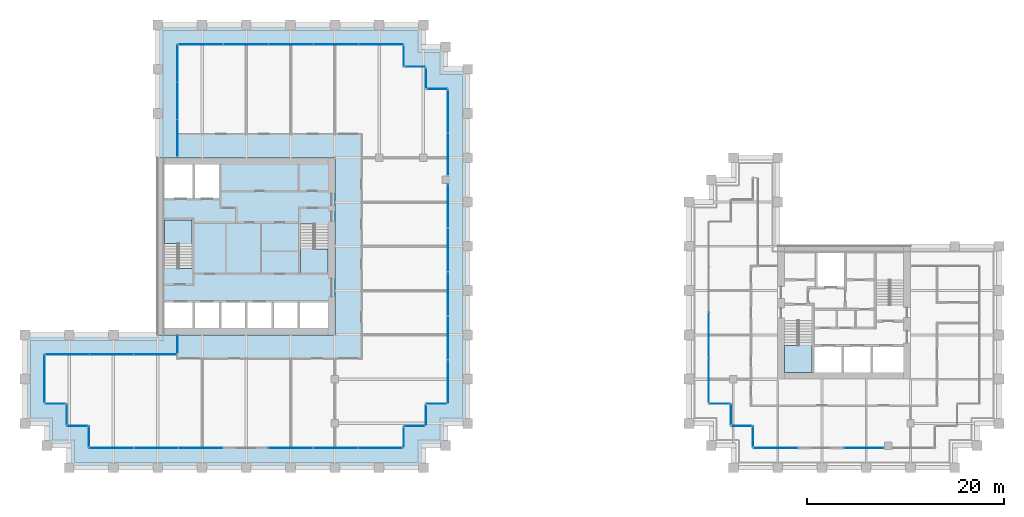
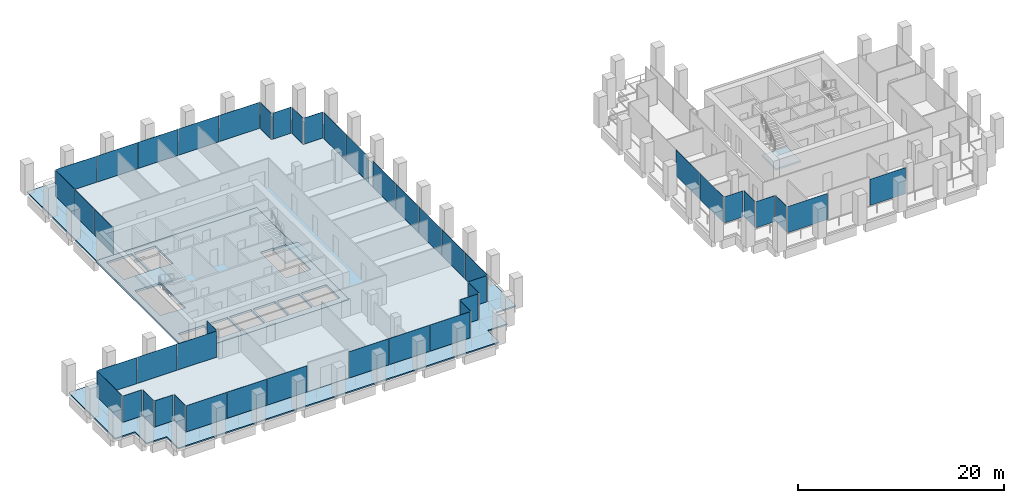
# One storey, part 39 of 47: 46 plates, 6 slabs, 31 elements without a shape of their own.
"""IFC4 building model written with IfcOpenShell, lengths in metres."""

import ifcopenshell
import ifcopenshell.guid

model = None  # the IFC model being written
_history = None  # IfcOwnerHistory: only IFC2X3 demands one
_inside = {}  # id of a spatial element -> (the spatial element, [elements in it])
_under = {}  # id of a project, library or spatial element -> (it, [spatial elements below it])
_declared = {}  # id of a project -> (the project, [libraries it declares])
_typed = {}  # id of a type object -> (the type object, [elements of that type])
_made_of = {}  # id of a material, layer set ... -> (it, [elements and type objects made of it])


def new_model(schema):
    """Start an empty IFC model of exactly this schema.

    Asked for "IFC4X3", IfcOpenShell would pick the latest addendum, in which some entities
    have other attributes; the version numbers below select the first issue.
    IFC2X3 requires an IfcOwnerHistory on every rooted entity: one is made here for all.
    """
    global model, _history
    if schema == "IFC4X3":
        model = ifcopenshell.file(schema_version=(4, 3, 0, 0))
    else:
        model = ifcopenshell.file(schema=schema)
    _inside.clear()
    _under.clear()
    _declared.clear()
    _typed.clear()
    _made_of.clear()
    _history = None
    if model.schema == "IFC2X3":
        org = make("IfcOrganization", Name="unknown")
        user = make(
            "IfcPersonAndOrganization",
            ThePerson=make("IfcPerson", FamilyName="unknown"),
            TheOrganization=org,
        )
        app = make(
            "IfcApplication",
            ApplicationDeveloper=org,
            Version="unknown",
            ApplicationFullName="unknown",
            ApplicationIdentifier="unknown",
        )
        _history = make(
            "IfcOwnerHistory",
            OwningUser=user,
            OwningApplication=app,
            ChangeAction="ADDED",
            CreationDate=0,
        )
    return model


def make(cls, **values):
    """One entity of the class cls with the attributes given. An attribute that is None is left unset."""
    return model.create_entity(
        cls, **{name: value for name, value in values.items() if value is not None}
    )


def rooted(cls, **values):
    """An entity with a GlobalId (a new one), such as an element, a storey or a relation."""
    return make(cls, GlobalId=ifcopenshell.guid.new(), OwnerHistory=_history, **values)


def si_unit(unit_type, name, prefix=None):
    """IfcSIUnit, for example si_unit("LENGTHUNIT", "METRE", prefix="MILLI")."""
    return make("IfcSIUnit", UnitType=unit_type, Prefix=prefix, Name=name)


def assignment(units):
    """IfcUnitAssignment: the units of a project."""
    return None if units is None else make("IfcUnitAssignment", Units=units)


def point(xyz):
    """IfcCartesianPoint."""
    return None if xyz is None else make("IfcCartesianPoint", Coordinates=xyz)


def direction(xyz):
    """IfcDirection."""
    return None if xyz is None else make("IfcDirection", DirectionRatios=xyz)


def frame(location, z_axis=None, x_axis=None):
    """IfcAxis2Placement3D, a coordinate frame: its origin and axes. An axis left out is left unset."""
    return make(
        "IfcAxis2Placement3D",
        Location=point(location),
        Axis=direction(z_axis),
        RefDirection=direction(x_axis),
    )


def frame_2d(location, x_axis=None):
    """IfcAxis2Placement2D, a coordinate frame in the plane: its origin and x axis."""
    return make(
        "IfcAxis2Placement2D", Location=point(location), RefDirection=direction(x_axis)
    )


def origin():
    """The frame at (0, 0, 0) with its axes left unset."""
    return frame((0.0, 0.0, 0.0))


def origin_2d():
    """The frame at (0, 0) in the plane with its x axis left unset."""
    return frame_2d((0.0, 0.0))


def place(relative_to, where):
    """IfcLocalPlacement: puts the frame where relative to a parent placement (None: the world)."""
    return make(
        "IfcLocalPlacement", PlacementRelTo=relative_to, RelativePlacement=where
    )


def context(
    kind, dimensions, precision=None, world=None, true_north=None, identifier=None
):
    """IfcGeometricRepresentationContext, for example the 3D "Model" context."""
    return make(
        "IfcGeometricRepresentationContext",
        ContextIdentifier=identifier,
        ContextType=kind,
        CoordinateSpaceDimension=dimensions,
        Precision=precision,
        WorldCoordinateSystem=world,
        TrueNorth=true_north,
    )


def subcontext(parent, identifier, kind, view, scale=None):
    """IfcGeometricRepresentationSubContext, for example "Body" below "Model"."""
    return make(
        "IfcGeometricRepresentationSubContext",
        ContextIdentifier=identifier,
        ContextType=kind,
        ParentContext=parent,
        TargetScale=scale,
        TargetView=view,
    )


def project(units=None, contexts=None):
    """IfcProject with its units and contexts."""
    return rooted(
        "IfcProject",
        Name="project",
        RepresentationContexts=contexts,
        UnitsInContext=assignment(units),
    )


def spatial(cls, under=None, at=None, **own):
    """A site, building, storey or space (cls), placed at a placement, below another one or the project."""
    s = rooted(cls, ObjectPlacement=at, **own)
    if under is not None:
        _under.setdefault(under.id(), (under, []))[1].append(s)
    return s


def polyline(points):
    """IfcPolyline through the points."""
    return make("IfcPolyline", Points=[point(p) for p in points])


def profile(cls, at=None, kind="AREA", **sizes):
    """A parametric profile (cls). Its sizes go by their IFC names, for example OverallWidth=200.0."""
    return make(cls, ProfileType=kind, Position=at, **sizes)


def rectangle(**sizes):
    """IfcRectangleProfileDef."""
    return profile("IfcRectangleProfileDef", **sizes)


def outline(outer, holes=None, kind="AREA"):
    """IfcArbitraryClosedProfileDef: a profile drawn as a closed curve; with holes, ...WithVoids."""
    if holes is None:
        return make("IfcArbitraryClosedProfileDef", ProfileType=kind, OuterCurve=outer)
    return make(
        "IfcArbitraryProfileDefWithVoids",
        ProfileType=kind,
        OuterCurve=outer,
        InnerCurves=holes,
    )


def extrude(swept, where, along, depth):
    """IfcExtrudedAreaSolid: the profile swept, set in the frame where, extruded along a direction by depth."""
    return make(
        "IfcExtrudedAreaSolid",
        SweptArea=swept,
        Position=where,
        ExtrudedDirection=direction(along),
        Depth=depth,
    )


def shape(context_of_items, identifier, shape_type, items):
    """IfcShapeRepresentation: the items that make up one representation, for example the "Body"."""
    return make(
        "IfcShapeRepresentation",
        ContextOfItems=context_of_items,
        RepresentationIdentifier=identifier,
        RepresentationType=shape_type,
        Items=items,
    )


def material(Name=None, Category=None):
    """IfcMaterial."""
    return make("IfcMaterial", Name=Name, Category=Category)


def layer(
    of_material, thickness, ventilated=None, Name=None, Category=None, Priority=None
):
    """IfcMaterialLayer: one layer of a wall or slab, of a material (None: an air gap)."""
    return make(
        "IfcMaterialLayer",
        Material=of_material,
        LayerThickness=thickness,
        IsVentilated=ventilated,
        Name=Name,
        Category=Category,
        Priority=Priority,
    )


def layer_set(layers, Name=None):
    """IfcMaterialLayerSet."""
    return make("IfcMaterialLayerSet", MaterialLayers=layers, LayerSetName=Name)


def made_of(thing, what):
    """Note that an element or type object is made of a material, layer set ...; save() writes the relation."""
    if what is not None:
        _made_of.setdefault(what.id(), (what, []))[1].append(thing)
    return thing


def type_object(cls, material=None, **own):
    """A type object (cls), such as IfcWallType, which elements share."""
    return made_of(rooted(cls, **own), material)


def element(
    cls,
    number,
    at=None,
    inside=None,
    cuts=None,
    type_object=None,
    material=None,
    context=None,
    identifier="Body",
    shape_type=None,
    held_by="IfcProductDefinitionShape",
    body=None,
    shapes=None,
    **own,
):
    """One element of the class cls, such as IfcWall. Its Tag is "e" and its number.

    at: its placement. inside: the storey or other place that contains it. cuts: it is an
    opening in that element (IfcRelVoidsElement). A single representation is given by context,
    identifier, shape_type and body (its items); several are given by shapes. held_by: the class
    of the entity that holds the representations. save() writes the other relations.
    """
    e = rooted(cls, Tag="e%d" % number, ObjectPlacement=at, **own)
    if body is not None:
        shapes = [shape(context, identifier, shape_type, body)]
    if shapes is not None:
        e.Representation = make(held_by, Representations=shapes)
    if inside is not None:
        _inside.setdefault(inside.id(), (inside, []))[1].append(e)
    if cuts is not None:
        rooted(
            "IfcRelVoidsElement", RelatingBuildingElement=cuts, RelatedOpeningElement=e
        )
    if type_object is not None:
        _typed.setdefault(type_object.id(), (type_object, []))[1].append(e)
    return made_of(e, material)


def aggregate(whole, parts):
    """IfcRelAggregates: a whole, such as a stair, and the parts it consists of."""
    return rooted("IfcRelAggregates", RelatingObject=whole, RelatedObjects=parts)


def save(model, path):
    """Write the relations noted so far, then the file.

    IfcRelAggregates (storeys below a building ...), IfcRelContainedInSpatialStructure (elements
    in a storey), IfcRelDefinesByType, IfcRelAssociatesMaterial and IfcRelDeclares: one each for
    every whole, place, type object, material and project.
    """
    for whole, parts in _under.values():
        aggregate(whole, parts)
    for where, things in _inside.values():
        rooted(
            "IfcRelContainedInSpatialStructure",
            RelatedElements=things,
            RelatingStructure=where,
        )
    for kind, things in _typed.values():
        rooted("IfcRelDefinesByType", RelatedObjects=things, RelatingType=kind)
    for what, things in _made_of.values():
        rooted("IfcRelAssociatesMaterial", RelatedObjects=things, RelatingMaterial=what)
    for by, libraries in _declared.values():
        rooted("IfcRelDeclares", RelatingContext=by, RelatedDefinitions=libraries)
    model.write(path)


model = new_model("IFC4")

# Units and contexts
model_context = context("Model", 3, precision=1e-05, world=origin(), true_north=direction((0.0, 1.0)))
body_context = subcontext(model_context, "Body", "Model", "MODEL_VIEW")
ifc_project = project(units=[si_unit("LENGTHUNIT", "METRE"), si_unit("AREAUNIT", "SQUARE_METRE"), si_unit("VOLUMEUNIT", "CUBIC_METRE"), si_unit("PLANEANGLEUNIT", "RADIAN"), si_unit("MASSUNIT", "GRAM", prefix="KILO")], contexts=[model_context])

# Site, building, storey
site_placement = place(None, origin())
site = spatial("IfcSite", under=ifc_project, at=site_placement, CompositionType="ELEMENT")
building_placement = place(site_placement, origin())
building = spatial("IfcBuilding", under=site, at=building_placement, Name="Altepetl Exchange Towers", CompositionType="ELEMENT")
storey_placement = place(building_placement, frame((0.0, 0.0, 95.60009765625)))
storey = spatial("IfcBuildingStorey", under=building, at=storey_placement, Name="L23", CompositionType="ELEMENT", Elevation=95.60009765625)

# Slabs
ifc_material_1 = material(Name="Concrete C40/50", Category="concrete")
ifc_layer_1 = layer(ifc_material_1, 0.14990234375)
ifc_layer_set_1 = layer_set([ifc_layer_1], Name="Concrete C40/50")
slab_type_1 = type_object("IfcSlabType", Name="Composite floor slab 150", PredefinedType="FLOOR", material=ifc_layer_set_1)
slab_1_placement = place(storey_placement, frame((0.0, 0.0, -0.150146484375)))
element("IfcSlab", 1, at=slab_1_placement, inside=storey, type_object=slab_type_1, Name="slab:A:L23:strip0", PredefinedType="FLOOR", context=body_context, shape_type="SweptSolid", body=[
    extrude(outline(polyline([(42.5, 70.0), (42.5, 58.5), (58.5, 58.5), (58.5, 40.5), (42.5, 40.5), (42.5, 38.5), (29.0, 38.5), (29.0, 33.5), (31.25, 33.5), (31.25, 31.25), (33.5, 31.25), (33.5, 29.0), (65.5, 29.0), (65.5, 31.25), (67.75, 31.25), (67.75, 33.5), (70.0, 33.5), (70.0, 65.5), (67.75, 65.5), (67.75, 67.75), (65.5, 67.75), (65.5, 70.0), (42.5, 70.0)])), origin(), (0.0, 0.0, 1.0), 0.150146484375),
])
ifc_layer_2 = layer(ifc_material_1, 0.25)
ifc_layer_set_2 = layer_set([ifc_layer_2], Name="Concrete C40/50")
slab_type_2 = type_object("IfcSlabType", Name="Core floor slab 250", PredefinedType="FLOOR", material=ifc_layer_set_2)
slab_2_placement = place(storey_placement, frame((0.0, 0.0, -0.25)))
element("IfcSlab", 2, at=slab_2_placement, inside=storey, type_object=slab_type_2, Name="slab:A:L23:core0", PredefinedType="FLOOR", context=body_context, shape_type="SweptSolid", body=[
    extrude(outline(polyline([(40.5, 40.5), (58.5, 40.5), (58.5, 58.5), (40.5, 58.5), (40.5, 40.5)]), holes=[polyline([(41.199951171875, 43.800048828125), (44.06689453125, 43.800048828125), (44.06689453125, 41.199951171875), (41.199951171875, 41.199951171875), (41.199951171875, 43.800048828125)]), polyline([(44.26708984375, 43.800048828125), (46.73291015625, 43.800048828125), (46.73291015625, 41.199951171875), (44.26708984375, 41.199951171875), (44.26708984375, 43.800048828125)]), polyline([(46.93310546875, 43.800048828125), (49.39990234375, 43.800048828125), (49.39990234375, 41.199951171875), (46.93310546875, 41.199951171875), (46.93310546875, 43.800048828125)]), polyline([(52.06689453125, 43.800048828125), (52.06689453125, 41.199951171875), (49.60009765625, 41.199951171875), (49.60009765625, 43.800048828125), (52.06689453125, 43.800048828125)]), polyline([(54.73291015625, 43.800048828125), (54.73291015625, 41.199951171875), (52.26708984375, 41.199951171875), (52.26708984375, 43.800048828125), (54.73291015625, 43.800048828125)]), polyline([(54.93310546875, 43.800048828125), (57.800048828125, 43.800048828125), (57.800048828125, 41.199951171875), (54.93310546875, 41.199951171875), (54.93310546875, 43.800048828125)]), polyline([(55.0, 51.7490234375), (56.449951171875, 51.7490234375), (56.449951171875, 51.64990234375), (57.800048828125, 51.64990234375), (57.800048828125, 46.800048828125), (55.0, 46.800048828125), (55.0, 51.7490234375)]), polyline([(44.0, 47.2509765625), (42.550048828125, 47.2509765625), (42.550048828125, 47.35009765625), (41.199951171875, 47.35009765625), (41.199951171875, 52.199951171875), (44.0, 52.199951171875), (44.0, 47.2509765625)]), polyline([(44.06689453125, 57.800048828125), (44.06689453125, 54.39990234375), (41.199951171875, 54.39990234375), (41.199951171875, 57.800048828125), (44.06689453125, 57.800048828125)]), polyline([(46.73291015625, 57.800048828125), (46.73291015625, 54.39990234375), (44.26708984375, 54.39990234375), (44.26708984375, 57.800048828125), (46.73291015625, 57.800048828125)])]), origin(), (0.0, 0.0, 1.0), 0.25),
])

# Curtain wall, plate
ifc_material_2 = material(Name="Aluminium 6063-T6 glazing", Category="aluminium")
curtain_wall_type = type_object("IfcCurtainWallType", Name="Loggia glazing system", PredefinedType="NOTDEFINED", material=ifc_material_2)
curtain_wall_1_placement = place(storey_placement, origin())
curtain_wall_1 = element("IfcCurtainWall", 3, at=curtain_wall_1_placement, inside=storey, type_object=curtain_wall_type, Name="CW1 run", PredefinedType="NOTDEFINED")
ifc_material_3 = material(Name="Glass 6-16-6 low emissivity", Category="glass")
ifc_layer_3 = layer(ifc_material_3, 0.028076171875)
ifc_layer_set_3 = layer_set([ifc_layer_3], Name="Glass 6-16-6 low emissivity")
plate_type = type_object("IfcPlateType", Name="Glass panel 28 double glazed", PredefinedType="CURTAIN_PANEL", material=ifc_layer_set_3)
plate_1_placement = place(storey_placement, frame((42.5, 39.53759765625, -0.000244140625), z_axis=(0.0, 0.0, 1.0), x_axis=(0.0, -1.0, 0.0)))
plate_1 = element("IfcPlate", 4, at=plate_1_placement, type_object=plate_type, Name="GP1 panel", PredefinedType="CURTAIN_PANEL", context=body_context, shape_type="SweptSolid", body=[
    extrude(rectangle(XDim=1.804931640625, YDim=0.028076171875, at=origin_2d()), origin(), (0.0, 0.0, 1.0), 3.10009765625),
])
aggregate(curtain_wall_1, [plate_1])

# Curtain wall, plates
curtain_wall_2_placement = place(storey_placement, origin())
curtain_wall_2 = element("IfcCurtainWall", 5, at=curtain_wall_2_placement, inside=storey, type_object=curtain_wall_type, Name="CW1 run", PredefinedType="NOTDEFINED")
plate_2_placement = place(storey_placement, frame((40.24755859375, 38.5, -0.000244140625), z_axis=(0.0, 0.0, 1.0), x_axis=(-1.0, 0.0, 0.0)))
plate_2 = element("IfcPlate", 6, at=plate_2_placement, type_object=plate_type, Name="GP1 panel", PredefinedType="CURTAIN_PANEL", context=body_context, shape_type="SweptSolid", body=[
    extrude(rectangle(XDim=4.385009765625, YDim=0.028076171875, at=origin_2d()), origin(), (0.0, 0.0, 1.0), 3.10009765625),
])
plate_3_placement = place(storey_placement, frame((35.78759765625, 38.5, -0.000244140625), z_axis=(0.0, 0.0, 1.0), x_axis=(-1.0, 0.0, 0.0)))
plate_3 = element("IfcPlate", 7, at=plate_3_placement, type_object=plate_type, Name="GP1 panel", PredefinedType="CURTAIN_PANEL", context=body_context, shape_type="SweptSolid", body=[
    extrude(rectangle(XDim=4.4150390625, YDim=0.028076171875, at=origin_2d()), origin(), (0.0, 0.0, 1.0), 3.10009765625),
])
plate_4_placement = place(storey_placement, frame((31.327392578125, 38.5, -0.000244140625), z_axis=(0.0, 0.0, 1.0), x_axis=(-1.0, 0.0, 0.0)))
plate_4 = element("IfcPlate", 8, at=plate_4_placement, type_object=plate_type, Name="GP1 panel", PredefinedType="CURTAIN_PANEL", context=body_context, shape_type="SweptSolid", body=[
    extrude(rectangle(XDim=4.385009765625, YDim=0.028076171875, at=origin_2d()), origin(), (0.0, 0.0, 1.0), 3.10009765625),
])
aggregate(curtain_wall_2, [plate_2, plate_3, plate_4])

# Curtain wall, plate
curtain_wall_3_placement = place(storey_placement, origin())
curtain_wall_3 = element("IfcCurtainWall", 9, at=curtain_wall_3_placement, inside=storey, type_object=curtain_wall_type, Name="CW1 run", PredefinedType="NOTDEFINED")
plate_5_placement = place(storey_placement, frame((29.0, 36.03759765625, -0.000244140625), z_axis=(0.0, 0.0, 1.0), x_axis=(0.0, -1.0, 0.0)))
plate_5 = element("IfcPlate", 10, at=plate_5_placement, type_object=plate_type, Name="GP1 panel", PredefinedType="CURTAIN_PANEL", context=body_context, shape_type="SweptSolid", body=[
    extrude(rectangle(XDim=4.804931640625, YDim=0.028076171875, at=origin_2d()), origin(), (0.0, 0.0, 1.0), 3.10009765625),
])
aggregate(curtain_wall_3, [plate_5])

curtain_wall_4_placement = place(storey_placement, origin())
curtain_wall_4 = element("IfcCurtainWall", 11, at=curtain_wall_4_placement, inside=storey, type_object=curtain_wall_type, Name="CW1 run", PredefinedType="NOTDEFINED")
plate_6_placement = place(storey_placement, frame((30.08740234375, 33.5, -0.000244140625)))
plate_6 = element("IfcPlate", 12, at=plate_6_placement, type_object=plate_type, Name="GP1 panel", PredefinedType="CURTAIN_PANEL", context=body_context, shape_type="SweptSolid", body=[
    extrude(rectangle(XDim=2.054931640625, YDim=0.028076171875, at=origin_2d()), origin(), (0.0, 0.0, 1.0), 3.10009765625),
])
aggregate(curtain_wall_4, [plate_6])

curtain_wall_5_placement = place(storey_placement, origin())
curtain_wall_5 = element("IfcCurtainWall", 13, at=curtain_wall_5_placement, inside=storey, type_object=curtain_wall_type, Name="CW1 run", PredefinedType="NOTDEFINED")
plate_7_placement = place(storey_placement, frame((31.25, 32.41259765625, -0.000244140625), z_axis=(0.0, 0.0, 1.0), x_axis=(0.0, -1.0, 0.0)))
plate_7 = element("IfcPlate", 14, at=plate_7_placement, type_object=plate_type, Name="GP1 panel", PredefinedType="CURTAIN_PANEL", context=body_context, shape_type="SweptSolid", body=[
    extrude(rectangle(XDim=2.054931640625, YDim=0.028076171875, at=origin_2d()), origin(), (0.0, 0.0, 1.0), 3.10009765625),
])
aggregate(curtain_wall_5, [plate_7])

curtain_wall_6_placement = place(storey_placement, origin())
curtain_wall_6 = element("IfcCurtainWall", 15, at=curtain_wall_6_placement, inside=storey, type_object=curtain_wall_type, Name="CW1 run", PredefinedType="NOTDEFINED")
plate_8_placement = place(storey_placement, frame((32.33740234375, 31.25, -0.000244140625)))
plate_8 = element("IfcPlate", 16, at=plate_8_placement, type_object=plate_type, Name="GP1 panel", PredefinedType="CURTAIN_PANEL", context=body_context, shape_type="SweptSolid", body=[
    extrude(rectangle(XDim=2.054931640625, YDim=0.028076171875, at=origin_2d()), origin(), (0.0, 0.0, 1.0), 3.10009765625),
])
aggregate(curtain_wall_6, [plate_8])

curtain_wall_7_placement = place(storey_placement, origin())
curtain_wall_7 = element("IfcCurtainWall", 17, at=curtain_wall_7_placement, inside=storey, type_object=curtain_wall_type, Name="CW1 run", PredefinedType="NOTDEFINED")
plate_9_placement = place(storey_placement, frame((33.5, 30.16259765625, -0.000244140625), z_axis=(0.0, 0.0, 1.0), x_axis=(0.0, -1.0, 0.0)))
plate_9 = element("IfcPlate", 18, at=plate_9_placement, type_object=plate_type, Name="GP1 panel", PredefinedType="CURTAIN_PANEL", context=body_context, shape_type="SweptSolid", body=[
    extrude(rectangle(XDim=2.054931640625, YDim=0.028076171875, at=origin_2d()), origin(), (0.0, 0.0, 1.0), 3.10009765625),
])
aggregate(curtain_wall_7, [plate_9])

# Curtain wall, plates
curtain_wall_8_placement = place(storey_placement, origin())
curtain_wall_8 = element("IfcCurtainWall", 19, at=curtain_wall_8_placement, inside=storey, type_object=curtain_wall_type, Name="CW1 run", PredefinedType="NOTDEFINED")
plate_10_placement = place(storey_placement, frame((35.79541015625, 29.0, -0.000244140625)))
plate_10 = element("IfcPlate", 20, at=plate_10_placement, type_object=plate_type, Name="GP1 panel", PredefinedType="CURTAIN_PANEL", context=body_context, shape_type="SweptSolid", body=[
    extrude(rectangle(XDim=4.470703125, YDim=0.028076171875, at=origin_2d()), origin(), (0.0, 0.0, 1.0), 3.10009765625),
])
plate_11_placement = place(storey_placement, frame((40.341064453125, 29.0, -0.000244140625)))
plate_11 = element("IfcPlate", 21, at=plate_11_placement, type_object=plate_type, Name="GP1 panel", PredefinedType="CURTAIN_PANEL", context=body_context, shape_type="SweptSolid", body=[
    extrude(rectangle(XDim=4.500732421875, YDim=0.028076171875, at=origin_2d()), origin(), (0.0, 0.0, 1.0), 3.10009765625),
])
plate_12_placement = place(storey_placement, frame((44.88671875, 29.0, -0.000244140625)))
plate_12 = element("IfcPlate", 22, at=plate_12_placement, type_object=plate_type, Name="GP1 panel", PredefinedType="CURTAIN_PANEL", context=body_context, shape_type="SweptSolid", body=[
    extrude(rectangle(XDim=4.470703125, YDim=0.028076171875, at=origin_2d()), origin(), (0.0, 0.0, 1.0), 3.10009765625),
])
aggregate(curtain_wall_8, [plate_10, plate_11, plate_12])

curtain_wall_9_placement = place(storey_placement, origin())
curtain_wall_9 = element("IfcCurtainWall", 23, at=curtain_wall_9_placement, inside=storey, type_object=curtain_wall_type, Name="CW1 run", PredefinedType="NOTDEFINED")
plate_13_placement = place(storey_placement, frame((54.038330078125, 29.0, -0.000244140625)))
plate_13 = element("IfcPlate", 24, at=plate_13_placement, type_object=plate_type, Name="GP1 panel", PredefinedType="CURTAIN_PANEL", context=body_context, shape_type="SweptSolid", body=[
    extrude(rectangle(XDim=4.470703125, YDim=0.028076171875, at=origin_2d()), origin(), (0.0, 0.0, 1.0), 3.10009765625),
])
plate_14_placement = place(storey_placement, frame((58.583984375, 29.0, -0.000244140625)))
plate_14 = element("IfcPlate", 25, at=plate_14_placement, type_object=plate_type, Name="GP1 panel", PredefinedType="CURTAIN_PANEL", context=body_context, shape_type="SweptSolid", body=[
    extrude(rectangle(XDim=4.500732421875, YDim=0.028076171875, at=origin_2d()), origin(), (0.0, 0.0, 1.0), 3.10009765625),
])
plate_15_placement = place(storey_placement, frame((63.129638671875, 29.0, -0.000244140625)))
plate_15 = element("IfcPlate", 26, at=plate_15_placement, type_object=plate_type, Name="GP1 panel", PredefinedType="CURTAIN_PANEL", context=body_context, shape_type="SweptSolid", body=[
    extrude(rectangle(XDim=4.470703125, YDim=0.028076171875, at=origin_2d()), origin(), (0.0, 0.0, 1.0), 3.10009765625),
])
aggregate(curtain_wall_9, [plate_13, plate_14, plate_15])

# Curtain wall, plate
curtain_wall_10_placement = place(storey_placement, origin())
curtain_wall_10 = element("IfcCurtainWall", 27, at=curtain_wall_10_placement, inside=storey, type_object=curtain_wall_type, Name="CW1 run", PredefinedType="NOTDEFINED")
plate_16_placement = place(storey_placement, frame((65.5, 30.08740234375, -0.000244140625), z_axis=(0.0, 0.0, 1.0), x_axis=(0.0, 1.0, 0.0)))
plate_16 = element("IfcPlate", 28, at=plate_16_placement, type_object=plate_type, Name="GP1 panel", PredefinedType="CURTAIN_PANEL", context=body_context, shape_type="SweptSolid", body=[
    extrude(rectangle(XDim=2.054931640625, YDim=0.028076171875, at=origin_2d()), origin(), (0.0, 0.0, 1.0), 3.10009765625),
])
aggregate(curtain_wall_10, [plate_16])

curtain_wall_11_placement = place(storey_placement, origin())
curtain_wall_11 = element("IfcCurtainWall", 29, at=curtain_wall_11_placement, inside=storey, type_object=curtain_wall_type, Name="CW1 run", PredefinedType="NOTDEFINED")
plate_17_placement = place(storey_placement, frame((66.58740234375, 31.25, -0.000244140625)))
plate_17 = element("IfcPlate", 30, at=plate_17_placement, type_object=plate_type, Name="GP1 panel", PredefinedType="CURTAIN_PANEL", context=body_context, shape_type="SweptSolid", body=[
    extrude(rectangle(XDim=2.054931640625, YDim=0.028076171875, at=origin_2d()), origin(), (0.0, 0.0, 1.0), 3.10009765625),
])
aggregate(curtain_wall_11, [plate_17])

curtain_wall_12_placement = place(storey_placement, origin())
curtain_wall_12 = element("IfcCurtainWall", 31, at=curtain_wall_12_placement, inside=storey, type_object=curtain_wall_type, Name="CW1 run", PredefinedType="NOTDEFINED")
plate_18_placement = place(storey_placement, frame((67.75, 32.33740234375, -0.000244140625), z_axis=(0.0, 0.0, 1.0), x_axis=(0.0, 1.0, 0.0)))
plate_18 = element("IfcPlate", 32, at=plate_18_placement, type_object=plate_type, Name="GP1 panel", PredefinedType="CURTAIN_PANEL", context=body_context, shape_type="SweptSolid", body=[
    extrude(rectangle(XDim=2.054931640625, YDim=0.028076171875, at=origin_2d()), origin(), (0.0, 0.0, 1.0), 3.10009765625),
])
aggregate(curtain_wall_12, [plate_18])

curtain_wall_13_placement = place(storey_placement, origin())
curtain_wall_13 = element("IfcCurtainWall", 33, at=curtain_wall_13_placement, inside=storey, type_object=curtain_wall_type, Name="CW1 run", PredefinedType="NOTDEFINED")
plate_19_placement = place(storey_placement, frame((68.83740234375, 33.5, -0.000244140625)))
plate_19 = element("IfcPlate", 34, at=plate_19_placement, type_object=plate_type, Name="GP1 panel", PredefinedType="CURTAIN_PANEL", context=body_context, shape_type="SweptSolid", body=[
    extrude(rectangle(XDim=2.054931640625, YDim=0.028076171875, at=origin_2d()), origin(), (0.0, 0.0, 1.0), 3.10009765625),
])
aggregate(curtain_wall_13, [plate_19])

# Curtain wall, plates
curtain_wall_14_placement = place(storey_placement, origin())
curtain_wall_14 = element("IfcCurtainWall", 35, at=curtain_wall_14_placement, inside=storey, type_object=curtain_wall_type, Name="CW1 run", PredefinedType="NOTDEFINED")
plate_20_placement = place(storey_placement, frame((70.0, 35.75048828125, -0.000244140625), z_axis=(0.0, 0.0, 1.0), x_axis=(0.0, 1.0, 0.0)))
plate_20 = element("IfcPlate", 36, at=plate_20_placement, type_object=plate_type, Name="GP1 panel", PredefinedType="CURTAIN_PANEL", context=body_context, shape_type="SweptSolid", body=[
    extrude(rectangle(XDim=4.381103515625, YDim=0.028076171875, at=origin_2d()), origin(), (0.0, 0.0, 1.0), 3.10009765625),
])
plate_21_placement = place(storey_placement, frame((70.0, 40.20654296875, -0.000244140625), z_axis=(0.0, 0.0, 1.0), x_axis=(0.0, 1.0, 0.0)))
plate_21 = element("IfcPlate", 37, at=plate_21_placement, type_object=plate_type, Name="GP1 panel", PredefinedType="CURTAIN_PANEL", context=body_context, shape_type="SweptSolid", body=[
    extrude(rectangle(XDim=4.410888671875, YDim=0.028076171875, at=origin_2d()), origin(), (0.0, 0.0, 1.0), 3.10009765625),
])
plate_22_placement = place(storey_placement, frame((70.0, 44.677490234375, -0.000244140625), z_axis=(0.0, 0.0, 1.0), x_axis=(0.0, 1.0, 0.0)))
plate_22 = element("IfcPlate", 38, at=plate_22_placement, type_object=plate_type, Name="GP1 panel", PredefinedType="CURTAIN_PANEL", context=body_context, shape_type="SweptSolid", body=[
    extrude(rectangle(XDim=4.410888671875, YDim=0.028076171875, at=origin_2d()), origin(), (0.0, 0.0, 1.0), 3.10009765625),
])
plate_23_placement = place(storey_placement, frame((70.0, 49.1484375, -0.000244140625), z_axis=(0.0, 0.0, 1.0), x_axis=(0.0, 1.0, 0.0)))
plate_23 = element("IfcPlate", 39, at=plate_23_placement, type_object=plate_type, Name="GP1 panel", PredefinedType="CURTAIN_PANEL", context=body_context, shape_type="SweptSolid", body=[
    extrude(rectangle(XDim=4.410888671875, YDim=0.028076171875, at=origin_2d()), origin(), (0.0, 0.0, 1.0), 3.10009765625),
])
plate_24_placement = place(storey_placement, frame((70.0, 53.6044921875, -0.000244140625), z_axis=(0.0, 0.0, 1.0), x_axis=(0.0, 1.0, 0.0)))
plate_24 = element("IfcPlate", 40, at=plate_24_placement, type_object=plate_type, Name="GP1 panel", PredefinedType="CURTAIN_PANEL", context=body_context, shape_type="SweptSolid", body=[
    extrude(rectangle(XDim=4.381103515625, YDim=0.028076171875, at=origin_2d()), origin(), (0.0, 0.0, 1.0), 3.10009765625),
])
aggregate(curtain_wall_14, [plate_20, plate_21, plate_22, plate_23, plate_24])

curtain_wall_15_placement = place(storey_placement, origin())
curtain_wall_15 = element("IfcCurtainWall", 41, at=curtain_wall_15_placement, inside=storey, type_object=curtain_wall_type, Name="CW1 run", PredefinedType="NOTDEFINED")
plate_25_placement = place(storey_placement, frame((70.0, 58.85498046875, -0.000244140625), z_axis=(0.0, 0.0, 1.0), x_axis=(0.0, 1.0, 0.0)))
plate_25 = element("IfcPlate", 42, at=plate_25_placement, type_object=plate_type, Name="GP1 panel", PredefinedType="CURTAIN_PANEL", context=body_context, shape_type="SweptSolid", body=[
    extrude(rectangle(XDim=4.300048828125, YDim=0.028076171875, at=origin_2d()), origin(), (0.0, 0.0, 1.0), 3.10009765625),
])
plate_26_placement = place(storey_placement, frame((70.0, 63.215087890625, -0.000244140625), z_axis=(0.0, 0.0, 1.0), x_axis=(0.0, 1.0, 0.0)))
plate_26 = element("IfcPlate", 43, at=plate_26_placement, type_object=plate_type, Name="GP1 panel", PredefinedType="CURTAIN_PANEL", context=body_context, shape_type="SweptSolid", body=[
    extrude(rectangle(XDim=4.300048828125, YDim=0.028076171875, at=origin_2d()), origin(), (0.0, 0.0, 1.0), 3.10009765625),
])
aggregate(curtain_wall_15, [plate_25, plate_26])

# Curtain wall, plate
curtain_wall_16_placement = place(storey_placement, origin())
curtain_wall_16 = element("IfcCurtainWall", 44, at=curtain_wall_16_placement, inside=storey, type_object=curtain_wall_type, Name="CW1 run", PredefinedType="NOTDEFINED")
plate_27_placement = place(storey_placement, frame((68.91259765625, 65.5, -0.000244140625), z_axis=(0.0, 0.0, 1.0), x_axis=(-1.0, 0.0, 0.0)))
plate_27 = element("IfcPlate", 45, at=plate_27_placement, type_object=plate_type, Name="GP1 panel", PredefinedType="CURTAIN_PANEL", context=body_context, shape_type="SweptSolid", body=[
    extrude(rectangle(XDim=2.054931640625, YDim=0.028076171875, at=origin_2d()), origin(), (0.0, 0.0, 1.0), 3.10009765625),
])
aggregate(curtain_wall_16, [plate_27])

curtain_wall_17_placement = place(storey_placement, origin())
curtain_wall_17 = element("IfcCurtainWall", 46, at=curtain_wall_17_placement, inside=storey, type_object=curtain_wall_type, Name="CW1 run", PredefinedType="NOTDEFINED")
plate_28_placement = place(storey_placement, frame((67.75, 66.58740234375, -0.000244140625), z_axis=(0.0, 0.0, 1.0), x_axis=(0.0, 1.0, 0.0)))
plate_28 = element("IfcPlate", 47, at=plate_28_placement, type_object=plate_type, Name="GP1 panel", PredefinedType="CURTAIN_PANEL", context=body_context, shape_type="SweptSolid", body=[
    extrude(rectangle(XDim=2.054931640625, YDim=0.028076171875, at=origin_2d()), origin(), (0.0, 0.0, 1.0), 3.10009765625),
])
aggregate(curtain_wall_17, [plate_28])

curtain_wall_18_placement = place(storey_placement, origin())
curtain_wall_18 = element("IfcCurtainWall", 48, at=curtain_wall_18_placement, inside=storey, type_object=curtain_wall_type, Name="CW1 run", PredefinedType="NOTDEFINED")
plate_29_placement = place(storey_placement, frame((66.66259765625, 67.75, -0.000244140625), z_axis=(0.0, 0.0, 1.0), x_axis=(-1.0, 0.0, 0.0)))
plate_29 = element("IfcPlate", 49, at=plate_29_placement, type_object=plate_type, Name="GP1 panel", PredefinedType="CURTAIN_PANEL", context=body_context, shape_type="SweptSolid", body=[
    extrude(rectangle(XDim=2.054931640625, YDim=0.028076171875, at=origin_2d()), origin(), (0.0, 0.0, 1.0), 3.10009765625),
])
aggregate(curtain_wall_18, [plate_29])

curtain_wall_19_placement = place(storey_placement, origin())
curtain_wall_19 = element("IfcCurtainWall", 50, at=curtain_wall_19_placement, inside=storey, type_object=curtain_wall_type, Name="CW1 run", PredefinedType="NOTDEFINED")
plate_30_placement = place(storey_placement, frame((65.5, 68.83740234375, -0.000244140625), z_axis=(0.0, 0.0, 1.0), x_axis=(0.0, 1.0, 0.0)))
plate_30 = element("IfcPlate", 51, at=plate_30_placement, type_object=plate_type, Name="GP1 panel", PredefinedType="CURTAIN_PANEL", context=body_context, shape_type="SweptSolid", body=[
    extrude(rectangle(XDim=2.054931640625, YDim=0.028076171875, at=origin_2d()), origin(), (0.0, 0.0, 1.0), 3.10009765625),
])
aggregate(curtain_wall_19, [plate_30])

# Curtain wall, plates
curtain_wall_20_placement = place(storey_placement, origin())
curtain_wall_20 = element("IfcCurtainWall", 52, at=curtain_wall_20_placement, inside=storey, type_object=curtain_wall_type, Name="CW1 run", PredefinedType="NOTDEFINED")
plate_31_placement = place(storey_placement, frame((63.1923828125, 70.0, -0.000244140625), z_axis=(0.0, 0.0, 1.0), x_axis=(-1.0, 0.0, 0.0)))
plate_31 = element("IfcPlate", 53, at=plate_31_placement, type_object=plate_type, Name="GP1 panel", PredefinedType="CURTAIN_PANEL", context=body_context, shape_type="SweptSolid", body=[
    extrude(rectangle(XDim=4.4951171875, YDim=0.028076171875, at=origin_2d()), origin(), (0.0, 0.0, 1.0), 3.10009765625),
])
plate_32_placement = place(storey_placement, frame((58.62255859375, 70.0, -0.000244140625), z_axis=(0.0, 0.0, 1.0), x_axis=(-1.0, 0.0, 0.0)))
plate_32 = element("IfcPlate", 54, at=plate_32_placement, type_object=plate_type, Name="GP1 panel", PredefinedType="CURTAIN_PANEL", context=body_context, shape_type="SweptSolid", body=[
    extrude(rectangle(XDim=4.52490234375, YDim=0.028076171875, at=origin_2d()), origin(), (0.0, 0.0, 1.0), 3.10009765625),
])
plate_33_placement = place(storey_placement, frame((54.03759765625, 70.0, -0.000244140625), z_axis=(0.0, 0.0, 1.0), x_axis=(-1.0, 0.0, 0.0)))
plate_33 = element("IfcPlate", 55, at=plate_33_placement, type_object=plate_type, Name="GP1 panel", PredefinedType="CURTAIN_PANEL", context=body_context, shape_type="SweptSolid", body=[
    extrude(rectangle(XDim=4.52490234375, YDim=0.028076171875, at=origin_2d()), origin(), (0.0, 0.0, 1.0), 3.10009765625),
])
plate_34_placement = place(storey_placement, frame((49.452392578125, 70.0, -0.000244140625), z_axis=(0.0, 0.0, 1.0), x_axis=(-1.0, 0.0, 0.0)))
plate_34 = element("IfcPlate", 56, at=plate_34_placement, type_object=plate_type, Name="GP1 panel", PredefinedType="CURTAIN_PANEL", context=body_context, shape_type="SweptSolid", body=[
    extrude(rectangle(XDim=4.52490234375, YDim=0.028076171875, at=origin_2d()), origin(), (0.0, 0.0, 1.0), 3.10009765625),
])
plate_35_placement = place(storey_placement, frame((44.882568359375, 70.0, -0.000244140625), z_axis=(0.0, 0.0, 1.0), x_axis=(-1.0, 0.0, 0.0)))
plate_35 = element("IfcPlate", 57, at=plate_35_placement, type_object=plate_type, Name="GP1 panel", PredefinedType="CURTAIN_PANEL", context=body_context, shape_type="SweptSolid", body=[
    extrude(rectangle(XDim=4.4951171875, YDim=0.028076171875, at=origin_2d()), origin(), (0.0, 0.0, 1.0), 3.10009765625),
])
aggregate(curtain_wall_20, [plate_31, plate_32, plate_33, plate_34, plate_35])

curtain_wall_21_placement = place(storey_placement, origin())
curtain_wall_21 = element("IfcCurtainWall", 58, at=curtain_wall_21_placement, inside=storey, type_object=curtain_wall_type, Name="CW1 run", PredefinedType="NOTDEFINED")
plate_36_placement = place(storey_placement, frame((42.5, 68.080810546875, -0.000244140625), z_axis=(0.0, 0.0, 1.0), x_axis=(0.0, -1.0, 0.0)))
plate_36 = element("IfcPlate", 59, at=plate_36_placement, type_object=plate_type, Name="GP1 panel", PredefinedType="CURTAIN_PANEL", context=body_context, shape_type="SweptSolid", body=[
    extrude(rectangle(XDim=3.71826171875, YDim=0.028076171875, at=origin_2d()), origin(), (0.0, 0.0, 1.0), 3.10009765625),
])
plate_37_placement = place(storey_placement, frame((42.5, 64.28759765625, -0.000244140625), z_axis=(0.0, 0.0, 1.0), x_axis=(0.0, -1.0, 0.0)))
plate_37 = element("IfcPlate", 60, at=plate_37_placement, type_object=plate_type, Name="GP1 panel", PredefinedType="CURTAIN_PANEL", context=body_context, shape_type="SweptSolid", body=[
    extrude(rectangle(XDim=3.748291015625, YDim=0.028076171875, at=origin_2d()), origin(), (0.0, 0.0, 1.0), 3.10009765625),
])
plate_38_placement = place(storey_placement, frame((42.5, 60.494140625, -0.000244140625), z_axis=(0.0, 0.0, 1.0), x_axis=(0.0, -1.0, 0.0)))
plate_38 = element("IfcPlate", 61, at=plate_38_placement, type_object=plate_type, Name="GP1 panel", PredefinedType="CURTAIN_PANEL", context=body_context, shape_type="SweptSolid", body=[
    extrude(rectangle(XDim=3.71826171875, YDim=0.028076171875, at=origin_2d()), origin(), (0.0, 0.0, 1.0), 3.10009765625),
])
aggregate(curtain_wall_21, [plate_36, plate_37, plate_38])

curtain_wall_22_placement = place(storey_placement, origin())
curtain_wall_22 = element("IfcCurtainWall", 62, at=curtain_wall_22_placement, inside=storey, type_object=curtain_wall_type, Name="CW1 run", PredefinedType="NOTDEFINED")
plate_39_placement = place(storey_placement, frame((96.5, 40.484375, -0.000244140625), z_axis=(0.0, 0.0, 1.0), x_axis=(0.0, -1.0, 0.0)))
plate_39 = element("IfcPlate", 63, at=plate_39_placement, type_object=plate_type, Name="GP1 panel", PredefinedType="CURTAIN_PANEL", context=body_context, shape_type="SweptSolid", body=[
    extrude(rectangle(XDim=4.546142578125, YDim=0.028076171875, at=origin_2d()), origin(), (0.0, 0.0, 1.0), 3.10009765625),
])
plate_40_placement = place(storey_placement, frame((96.5, 35.89306640625, -0.000244140625), z_axis=(0.0, 0.0, 1.0), x_axis=(0.0, -1.0, 0.0)))
plate_40 = element("IfcPlate", 64, at=plate_40_placement, type_object=plate_type, Name="GP1 panel", PredefinedType="CURTAIN_PANEL", context=body_context, shape_type="SweptSolid", body=[
    extrude(rectangle(XDim=4.516357421875, YDim=0.028076171875, at=origin_2d()), origin(), (0.0, 0.0, 1.0), 3.10009765625),
])
aggregate(curtain_wall_22, [plate_39, plate_40])

# Curtain wall, plate
curtain_wall_23_placement = place(storey_placement, origin())
curtain_wall_23 = element("IfcCurtainWall", 65, at=curtain_wall_23_placement, inside=storey, type_object=curtain_wall_type, Name="CW1 run", PredefinedType="NOTDEFINED")
plate_41_placement = place(storey_placement, frame((97.58740234375, 33.5, -0.000244140625)))
plate_41 = element("IfcPlate", 66, at=plate_41_placement, type_object=plate_type, Name="GP1 panel", PredefinedType="CURTAIN_PANEL", context=body_context, shape_type="SweptSolid", body=[
    extrude(rectangle(XDim=2.054931640625, YDim=0.028076171875, at=origin_2d()), origin(), (0.0, 0.0, 1.0), 3.10009765625),
])
aggregate(curtain_wall_23, [plate_41])

curtain_wall_24_placement = place(storey_placement, origin())
curtain_wall_24 = element("IfcCurtainWall", 67, at=curtain_wall_24_placement, inside=storey, type_object=curtain_wall_type, Name="CW1 run", PredefinedType="NOTDEFINED")
plate_42_placement = place(storey_placement, frame((98.75, 32.41259765625, -0.000244140625), z_axis=(0.0, 0.0, 1.0), x_axis=(0.0, -1.0, 0.0)))
plate_42 = element("IfcPlate", 68, at=plate_42_placement, type_object=plate_type, Name="GP1 panel", PredefinedType="CURTAIN_PANEL", context=body_context, shape_type="SweptSolid", body=[
    extrude(rectangle(XDim=2.054931640625, YDim=0.028076171875, at=origin_2d()), origin(), (0.0, 0.0, 1.0), 3.10009765625),
])
aggregate(curtain_wall_24, [plate_42])

curtain_wall_25_placement = place(storey_placement, origin())
curtain_wall_25 = element("IfcCurtainWall", 69, at=curtain_wall_25_placement, inside=storey, type_object=curtain_wall_type, Name="CW1 run", PredefinedType="NOTDEFINED")
plate_43_placement = place(storey_placement, frame((99.83740234375, 31.25, -0.000244140625)))
plate_43 = element("IfcPlate", 70, at=plate_43_placement, type_object=plate_type, Name="GP1 panel", PredefinedType="CURTAIN_PANEL", context=body_context, shape_type="SweptSolid", body=[
    extrude(rectangle(XDim=2.054931640625, YDim=0.028076171875, at=origin_2d()), origin(), (0.0, 0.0, 1.0), 3.10009765625),
])
aggregate(curtain_wall_25, [plate_43])

curtain_wall_26_placement = place(storey_placement, origin())
curtain_wall_26 = element("IfcCurtainWall", 71, at=curtain_wall_26_placement, inside=storey, type_object=curtain_wall_type, Name="CW1 run", PredefinedType="NOTDEFINED")
plate_44_placement = place(storey_placement, frame((101.0, 30.16259765625, -0.000244140625), z_axis=(0.0, 0.0, 1.0), x_axis=(0.0, -1.0, 0.0)))
plate_44 = element("IfcPlate", 72, at=plate_44_placement, type_object=plate_type, Name="GP1 panel", PredefinedType="CURTAIN_PANEL", context=body_context, shape_type="SweptSolid", body=[
    extrude(rectangle(XDim=2.054931640625, YDim=0.028076171875, at=origin_2d()), origin(), (0.0, 0.0, 1.0), 3.10009765625),
])
aggregate(curtain_wall_26, [plate_44])

curtain_wall_27_placement = place(storey_placement, origin())
curtain_wall_27 = element("IfcCurtainWall", 73, at=curtain_wall_27_placement, inside=storey, type_object=curtain_wall_type, Name="CW1 run", PredefinedType="NOTDEFINED")
plate_45_placement = place(storey_placement, frame((103.30322265625, 29.0, -0.000244140625)))
plate_45 = element("IfcPlate", 74, at=plate_45_placement, type_object=plate_type, Name="GP1 panel", PredefinedType="CURTAIN_PANEL", context=body_context, shape_type="SweptSolid", body=[
    extrude(rectangle(XDim=4.486328125, YDim=0.028076171875, at=origin_2d()), origin(), (0.0, 0.0, 1.0), 3.10009765625),
])
aggregate(curtain_wall_27, [plate_45])

curtain_wall_28_placement = place(storey_placement, origin())
curtain_wall_28 = element("IfcCurtainWall", 75, at=curtain_wall_28_placement, inside=storey, type_object=curtain_wall_type, Name="CW1 run", PredefinedType="NOTDEFINED")
plate_46_placement = place(storey_placement, frame((112.28369140625, 29.0, -0.000244140625)))
plate_46 = element("IfcPlate", 76, at=plate_46_placement, type_object=plate_type, Name="GP1 panel", PredefinedType="CURTAIN_PANEL", context=body_context, shape_type="SweptSolid", body=[
    extrude(rectangle(XDim=4.0224609375, YDim=0.028076171875, at=origin_2d()), origin(), (0.0, 0.0, 1.0), 3.10009765625),
])
aggregate(curtain_wall_28, [plate_46])

# Slab
ifc_layer_4 = layer(ifc_material_1, 0.14990234375)
ifc_layer_set_4 = layer_set([ifc_layer_4], Name="Concrete C40/50")
slab_type_3 = type_object("IfcSlabType", Name="Loggia slab 150", PredefinedType="FLOOR", material=ifc_layer_set_4)
slab_3_placement = place(storey_placement, frame((0.0, 0.0, -0.150146484375)))
element("IfcSlab", 77, at=slab_3_placement, inside=storey, type_object=slab_type_3, Name="slab:A:L23:loggia0", PredefinedType="FLOOR", context=body_context, shape_type="SweptSolid", body=[
    extrude(outline(polyline([(40.5, 72.0), (40.5, 58.5), (42.5, 58.5), (42.5, 70.0), (65.5, 70.0), (65.5, 67.75), (67.75, 67.75), (67.75, 65.5), (70.0, 65.5), (70.0, 33.5), (67.75, 33.5), (67.75, 31.25), (65.5, 31.25), (65.5, 29.0), (33.5, 29.0), (33.5, 31.25), (31.25, 31.25), (31.25, 33.5), (29.0, 33.5), (29.0, 38.5), (42.5, 38.5), (42.5, 40.5), (40.5, 40.5), (27.0, 40.5), (27.0, 31.5), (29.25, 31.5), (29.25, 29.25), (31.5, 29.25), (31.5, 27.0), (58.5, 27.0), (67.5, 27.0), (67.5, 29.25), (69.75, 29.25), (69.75, 31.5), (72.0, 31.5), (72.0, 58.5), (72.0, 67.5), (69.75, 67.5), (69.75, 69.75), (67.5, 69.75), (67.5, 72.0), (40.5, 72.0)])), origin(), (0.0, 0.0, 1.0), 0.150146484375),
])

# Stair, slab
stair_type = type_object("IfcStairType", Name="Exit stair 1350 flights dogleg", PredefinedType="HALF_TURN_STAIR", material=ifc_material_1)
stair_1_placement = place(storey_placement, origin())
stair_1 = element("IfcStair", 78, at=stair_1_placement, inside=storey, type_object=stair_type, Name="Exit stair 1", PredefinedType="HALF_TURN_STAIR")
ifc_layer_5 = layer(ifc_material_1, 0.199951171875)
ifc_layer_set_5 = layer_set([ifc_layer_5], Name="Concrete C40/50")
slab_type_4 = type_object("IfcSlabType", Name="Stair landing 200 reinforced concrete", PredefinedType="LANDING", material=ifc_layer_set_5)
slab_4_placement = place(storey_placement, frame((0.0, 0.0, 1.599853515625)))
slab_4 = element("IfcSlab", 79, at=slab_4_placement, type_object=slab_type_4, Name="ST-A1d landing 1", PredefinedType="LANDING", context=body_context, shape_type="SweptSolid", body=[
    extrude(outline(polyline([(44.0, 49.669921875), (42.64990234375, 49.669921875), (42.64990234375, 49.77001953125), (42.550048828125, 49.77001953125), (42.550048828125, 49.769287109375), (41.199951171875, 49.769287109375), (41.199951171875, 49.77001953125), (41.199951171875, 52.199951171875), (44.0, 52.199951171875), (44.0, 49.77001953125), (44.0, 49.669921875)])), origin(), (0.0, 0.0, 1.0), 0.199951171875),
])
aggregate(stair_1, [slab_4])

stair_2_placement = place(storey_placement, origin())
stair_2 = element("IfcStair", 80, at=stair_2_placement, inside=storey, type_object=stair_type, Name="Exit stair 2", PredefinedType="HALF_TURN_STAIR")
slab_5_placement = place(storey_placement, frame((0.0, 0.0, 1.599853515625)))
slab_5 = element("IfcSlab", 81, at=slab_5_placement, type_object=slab_type_4, Name="ST-A2d landing 1", PredefinedType="LANDING", context=body_context, shape_type="SweptSolid", body=[
    extrude(outline(polyline([(57.800048828125, 46.800048828125), (55.0, 46.800048828125), (55.0, 49.22998046875), (55.0, 49.330078125), (56.35009765625, 49.330078125), (56.35009765625, 49.22998046875), (56.449951171875, 49.22998046875), (56.449951171875, 49.230712890625), (57.800048828125, 49.230712890625), (57.800048828125, 49.22998046875), (57.800048828125, 46.800048828125)])), origin(), (0.0, 0.0, 1.0), 0.199951171875),
])
aggregate(stair_2, [slab_5])

stair_3_placement = place(storey_placement, origin())
stair_3 = element("IfcStair", 82, at=stair_3_placement, inside=storey, type_object=stair_type, Name="Exit stair 1", PredefinedType="HALF_TURN_STAIR")
slab_6_placement = place(storey_placement, frame((0.0, 0.0, 1.599853515625)))
slab_6 = element("IfcSlab", 83, at=slab_6_placement, type_object=slab_type_4, Name="ST-B1d landing 1", PredefinedType="LANDING", context=body_context, shape_type="SweptSolid", body=[
    extrude(outline(polyline([(107.0, 36.699951171875), (104.199951171875, 36.699951171875), (104.199951171875, 39.429931640625), (104.199951171875, 39.4306640625), (105.550048828125, 39.4306640625), (105.550048828125, 39.429931640625), (105.64990234375, 39.429931640625), (105.64990234375, 39.530029296875), (107.0, 39.530029296875), (107.0, 39.429931640625), (107.0, 36.699951171875)])), origin(), (0.0, 0.0, 1.0), 0.199951171875),
])
aggregate(stair_3, [slab_6])

save(model, "model.ifc")
